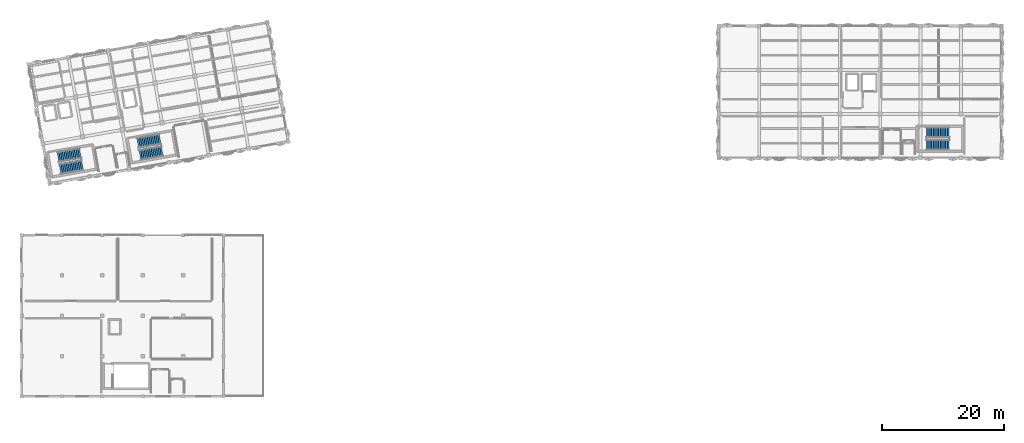
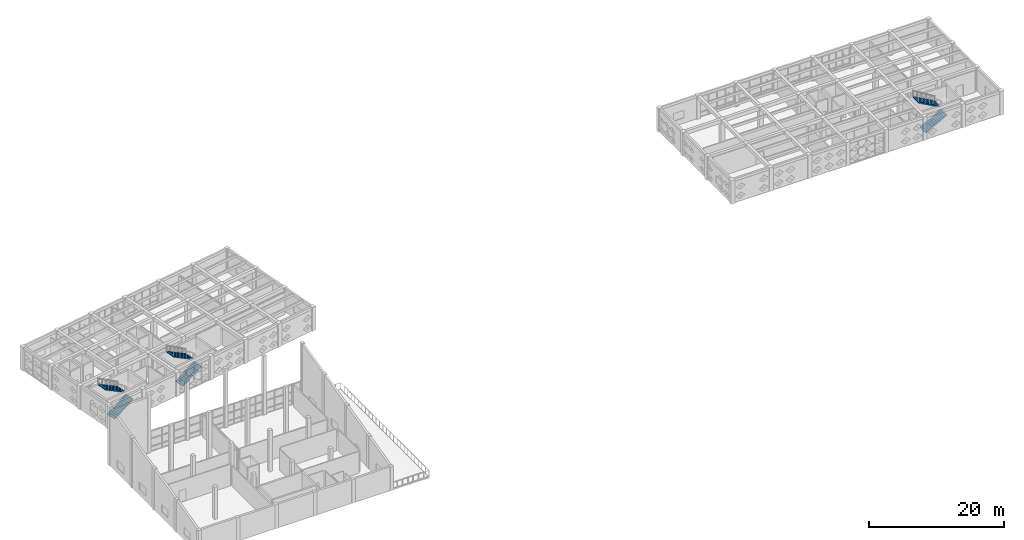
# One storey, part 33 of 39: 6 stair flights, 3 elements without a shape of their own.
"""IFC4 building model written with IfcOpenShell, lengths in metres."""

from ifc_helpers import new_model, si_unit, direction, frame, origin, place, context, subcontext, project, spatial, polyline, outline, extrude, material, type_object, element, aggregate, save


model = new_model("IFC4")

# Units and contexts
model_context = context("Model", 3, precision=1e-05, world=origin(), true_north=direction((0.0, 1.0)))
body_context = subcontext(model_context, "Body", "Model", "MODEL_VIEW")
ifc_project = project(units=[si_unit("LENGTHUNIT", "METRE"), si_unit("AREAUNIT", "SQUARE_METRE"), si_unit("VOLUMEUNIT", "CUBIC_METRE"), si_unit("PLANEANGLEUNIT", "RADIAN"), si_unit("MASSUNIT", "GRAM", prefix="KILO")], contexts=[model_context])

# Site, building, storey
site_placement = place(None, origin())
site = spatial("IfcSite", under=ifc_project, at=site_placement, CompositionType="ELEMENT")
building_placement = place(site_placement, origin())
building = spatial("IfcBuilding", under=site, at=building_placement, Name="Kharisveld Research Institute", CompositionType="ELEMENT")
storey_placement = place(building_placement, frame((0.0, 0.0, 18.60009765625)))
storey = spatial("IfcBuildingStorey", under=building, at=storey_placement, Name="L04", CompositionType="ELEMENT", Elevation=18.60009765625)

# Stair, stair flights
ifc_material_1 = material(Name="Concrete C40/50", Category="concrete")
stair_type = type_object("IfcStairType", Name="ST_EXIT_170", PredefinedType="TWO_STRAIGHT_RUN_STAIR", material=ifc_material_1)
stair_1_placement = place(storey_placement, origin())
stair_1 = element("IfcStair", 1, at=stair_1_placement, inside=storey, type_object=stair_type, Name="STR:ST1:L04", PredefinedType="TWO_STRAIGHT_RUN_STAIR")
ifc_material_2 = material(Name="Concrete C40/50", Category="concrete")
stair_flight_type = type_object("IfcStairFlightType", Name="SF_RUN_170", PredefinedType="STRAIGHT", material=ifc_material_2)
stair_flight_1_placement = place(storey_placement, frame((6.891357421875, 37.339111328125, 0.0), z_axis=(0.0, 0.0, 1.0), x_axis=(0.984807753012, 0.173648177667, 0.0)))
stair_flight_1 = element("IfcStairFlight", 2, at=stair_flight_1_placement, type_object=stair_flight_type, Name="ST-01 flight 1", NumberOfRisers=14, NumberOfTreads=13, PredefinedType="STRAIGHT", RiserHeight=0.160714, TreadLength=0.285, context=body_context, shape_type="SweptSolid", body=[
    extrude(outline(polyline([(0.0, 0.0), (0.0, 0.16064453125), (0.284912109375, 0.16064453125), (0.284912109375, 0.321533203125), (0.570068359375, 0.321533203125), (0.570068359375, 0.482177734375), (0.85498046875, 0.482177734375), (0.85498046875, 0.642822265625), (1.139892578125, 0.642822265625), (1.139892578125, 0.803466796875), (1.425048828125, 0.803466796875), (1.425048828125, 0.96435546875), (1.7099609375, 0.96435546875), (1.7099609375, 1.125), (1.9951171875, 1.125), (1.9951171875, 1.28564453125), (2.280029296875, 1.28564453125), (2.280029296875, 1.446533203125), (2.56494140625, 1.446533203125), (2.56494140625, 1.607177734375), (2.85009765625, 1.607177734375), (2.85009765625, 1.767822265625), (3.135009765625, 1.767822265625), (3.135009765625, 1.928466796875), (3.419921875, 1.928466796875), (3.419921875, 2.08935546875), (3.705078125, 2.08935546875), (3.705078125, 2.25), (3.705078125, 1.917236328125), (0.30517578125, 0.0), (0.0, 0.0)])), frame((0.0, 0.85009765625, 0.0), z_axis=(0.0, -1.0, 0.0), x_axis=(1.0, 0.0, 0.0)), (0.0, 0.0, 1.0), 1.699951171875),
])
stair_flight_2_placement = place(storey_placement, frame((10.182373046875, 40.01123046875, 2.25), z_axis=(0.0, 0.0, 1.0), x_axis=(-0.984807753012, -0.173648177667, 0.0)))
stair_flight_2 = element("IfcStairFlight", 3, at=stair_flight_2_placement, type_object=stair_flight_type, Name="ST-01 flight 2", NumberOfRisers=14, NumberOfTreads=13, PredefinedType="STRAIGHT", RiserHeight=0.160714, TreadLength=0.285, context=body_context, shape_type="SweptSolid", body=[
    extrude(outline(polyline([(0.0, 0.0), (0.0, 0.16064453125), (0.284912109375, 0.16064453125), (0.284912109375, 0.321533203125), (0.570068359375, 0.321533203125), (0.570068359375, 0.482177734375), (0.85498046875, 0.482177734375), (0.85498046875, 0.642822265625), (1.139892578125, 0.642822265625), (1.139892578125, 0.803466796875), (1.425048828125, 0.803466796875), (1.425048828125, 0.96435546875), (1.7099609375, 0.96435546875), (1.7099609375, 1.125), (1.9951171875, 1.125), (1.9951171875, 1.28564453125), (2.280029296875, 1.28564453125), (2.280029296875, 1.446533203125), (2.56494140625, 1.446533203125), (2.56494140625, 1.607177734375), (2.85009765625, 1.607177734375), (2.85009765625, 1.767822265625), (3.135009765625, 1.767822265625), (3.135009765625, 1.928466796875), (3.419921875, 1.928466796875), (3.419921875, 2.08935546875), (3.705078125, 2.08935546875), (3.705078125, 2.25), (3.705078125, 1.917236328125), (0.30517578125, 0.0), (0.0, 0.0)])), frame((0.0, 0.85009765625, 0.0), z_axis=(0.0, -1.0, 0.0), x_axis=(1.0, 0.0, 0.0)), (0.0, 0.0, 1.0), 1.699951171875),
])
aggregate(stair_1, [stair_flight_1, stair_flight_2])

stair_2_placement = place(storey_placement, origin())
stair_2 = element("IfcStair", 4, at=stair_2_placement, inside=storey, type_object=stair_type, Name="STR:ST2:L04", PredefinedType="TWO_STRAIGHT_RUN_STAIR")
stair_flight_3_placement = place(storey_placement, frame((19.93994140625, 39.639892578125, 0.0), z_axis=(0.0, 0.0, 1.0), x_axis=(0.984807753012, 0.173648177667, 0.0)))
stair_flight_3 = element("IfcStairFlight", 5, at=stair_flight_3_placement, type_object=stair_flight_type, Name="ST-02 flight 1", NumberOfRisers=14, NumberOfTreads=13, PredefinedType="STRAIGHT", RiserHeight=0.160714, TreadLength=0.285, context=body_context, shape_type="SweptSolid", body=[
    extrude(outline(polyline([(0.0, 0.0), (0.0, 0.16064453125), (0.284912109375, 0.16064453125), (0.284912109375, 0.321533203125), (0.570068359375, 0.321533203125), (0.570068359375, 0.482177734375), (0.85498046875, 0.482177734375), (0.85498046875, 0.642822265625), (1.139892578125, 0.642822265625), (1.139892578125, 0.803466796875), (1.425048828125, 0.803466796875), (1.425048828125, 0.96435546875), (1.7099609375, 0.96435546875), (1.7099609375, 1.125), (1.9951171875, 1.125), (1.9951171875, 1.28564453125), (2.280029296875, 1.28564453125), (2.280029296875, 1.446533203125), (2.56494140625, 1.446533203125), (2.56494140625, 1.607177734375), (2.85009765625, 1.607177734375), (2.85009765625, 1.767822265625), (3.135009765625, 1.767822265625), (3.135009765625, 1.928466796875), (3.419921875, 1.928466796875), (3.419921875, 2.08935546875), (3.705078125, 2.08935546875), (3.705078125, 2.25), (3.705078125, 1.917236328125), (0.30517578125, 0.0), (0.0, 0.0)])), frame((0.0, 0.85009765625, 0.0), z_axis=(0.0, -1.0, 0.0), x_axis=(1.0, 0.0, 0.0)), (0.0, 0.0, 1.0), 1.699951171875),
])
stair_flight_4_placement = place(storey_placement, frame((23.23095703125, 42.31201171875, 2.25), z_axis=(0.0, 0.0, 1.0), x_axis=(-0.984807753012, -0.173648177667, 0.0)))
stair_flight_4 = element("IfcStairFlight", 6, at=stair_flight_4_placement, type_object=stair_flight_type, Name="ST-02 flight 2", NumberOfRisers=14, NumberOfTreads=13, PredefinedType="STRAIGHT", RiserHeight=0.160714, TreadLength=0.285, context=body_context, shape_type="SweptSolid", body=[
    extrude(outline(polyline([(0.0, 0.0), (0.0, 0.16064453125), (0.284912109375, 0.16064453125), (0.284912109375, 0.321533203125), (0.570068359375, 0.321533203125), (0.570068359375, 0.482177734375), (0.85498046875, 0.482177734375), (0.85498046875, 0.642822265625), (1.139892578125, 0.642822265625), (1.139892578125, 0.803466796875), (1.425048828125, 0.803466796875), (1.425048828125, 0.96435546875), (1.7099609375, 0.96435546875), (1.7099609375, 1.125), (1.9951171875, 1.125), (1.9951171875, 1.28564453125), (2.280029296875, 1.28564453125), (2.280029296875, 1.446533203125), (2.56494140625, 1.446533203125), (2.56494140625, 1.607177734375), (2.85009765625, 1.607177734375), (2.85009765625, 1.767822265625), (3.135009765625, 1.767822265625), (3.135009765625, 1.928466796875), (3.419921875, 1.928466796875), (3.419921875, 2.08935546875), (3.705078125, 2.08935546875), (3.705078125, 2.25), (3.705078125, 1.917236328125), (0.30517578125, 0.0), (0.0, 0.0)])), frame((0.0, 0.85009765625, 0.0), z_axis=(0.0, -1.0, 0.0), x_axis=(1.0, 0.0, 0.0)), (0.0, 0.0, 1.0), 1.699951171875),
])
aggregate(stair_2, [stair_flight_3, stair_flight_4])

stair_3_placement = place(storey_placement, origin())
stair_3 = element("IfcStair", 7, at=stair_3_placement, inside=storey, type_object=stair_type, Name="STR:ST3:L04", PredefinedType="TWO_STRAIGHT_RUN_STAIR")
stair_flight_5_placement = place(storey_placement, frame((148.570068359375, 41.300048828125, 0.0), z_axis=(0.0, 0.0, 1.0), x_axis=(1.0, 0.0, 0.0)))
stair_flight_5 = element("IfcStairFlight", 8, at=stair_flight_5_placement, type_object=stair_flight_type, Name="ST-03 flight 1", NumberOfRisers=14, NumberOfTreads=13, PredefinedType="STRAIGHT", RiserHeight=0.160714, TreadLength=0.285, context=body_context, shape_type="SweptSolid", body=[
    extrude(outline(polyline([(0.0, 0.0), (0.0, 0.16064453125), (0.284912109375, 0.16064453125), (0.284912109375, 0.321533203125), (0.570068359375, 0.321533203125), (0.570068359375, 0.482177734375), (0.85498046875, 0.482177734375), (0.85498046875, 0.642822265625), (1.139892578125, 0.642822265625), (1.139892578125, 0.803466796875), (1.425048828125, 0.803466796875), (1.425048828125, 0.96435546875), (1.7099609375, 0.96435546875), (1.7099609375, 1.125), (1.9951171875, 1.125), (1.9951171875, 1.28564453125), (2.280029296875, 1.28564453125), (2.280029296875, 1.446533203125), (2.56494140625, 1.446533203125), (2.56494140625, 1.607177734375), (2.85009765625, 1.607177734375), (2.85009765625, 1.767822265625), (3.135009765625, 1.767822265625), (3.135009765625, 1.928466796875), (3.419921875, 1.928466796875), (3.419921875, 2.08935546875), (3.705078125, 2.08935546875), (3.705078125, 2.25), (3.705078125, 1.917236328125), (0.30517578125, 0.0), (0.0, 0.0)])), frame((0.0, 0.85009765625, 0.0), z_axis=(0.0, -1.0, 0.0), x_axis=(1.0, 0.0, 0.0)), (0.0, 0.0, 1.0), 1.699951171875),
])
stair_flight_6_placement = place(storey_placement, frame((152.27490234375, 43.360107421875, 2.25), z_axis=(0.0, 0.0, 1.0), x_axis=(-1.0, 0.0, 0.0)))
stair_flight_6 = element("IfcStairFlight", 9, at=stair_flight_6_placement, type_object=stair_flight_type, Name="ST-03 flight 2", NumberOfRisers=14, NumberOfTreads=13, PredefinedType="STRAIGHT", RiserHeight=0.160714, TreadLength=0.285, context=body_context, shape_type="SweptSolid", body=[
    extrude(outline(polyline([(0.0, 0.0), (0.0, 0.16064453125), (0.284912109375, 0.16064453125), (0.284912109375, 0.321533203125), (0.570068359375, 0.321533203125), (0.570068359375, 0.482177734375), (0.85498046875, 0.482177734375), (0.85498046875, 0.642822265625), (1.139892578125, 0.642822265625), (1.139892578125, 0.803466796875), (1.425048828125, 0.803466796875), (1.425048828125, 0.96435546875), (1.7099609375, 0.96435546875), (1.7099609375, 1.125), (1.9951171875, 1.125), (1.9951171875, 1.28564453125), (2.280029296875, 1.28564453125), (2.280029296875, 1.446533203125), (2.56494140625, 1.446533203125), (2.56494140625, 1.607177734375), (2.85009765625, 1.607177734375), (2.85009765625, 1.767822265625), (3.135009765625, 1.767822265625), (3.135009765625, 1.928466796875), (3.419921875, 1.928466796875), (3.419921875, 2.08935546875), (3.705078125, 2.08935546875), (3.705078125, 2.25), (3.705078125, 1.917236328125), (0.30517578125, 0.0), (0.0, 0.0)])), frame((0.0, 0.85009765625, 0.0), z_axis=(0.0, -1.0, 0.0), x_axis=(1.0, 0.0, 0.0)), (0.0, 0.0, 1.0), 1.699951171875),
])
aggregate(stair_3, [stair_flight_5, stair_flight_6])

save(model, "model.ifc")
